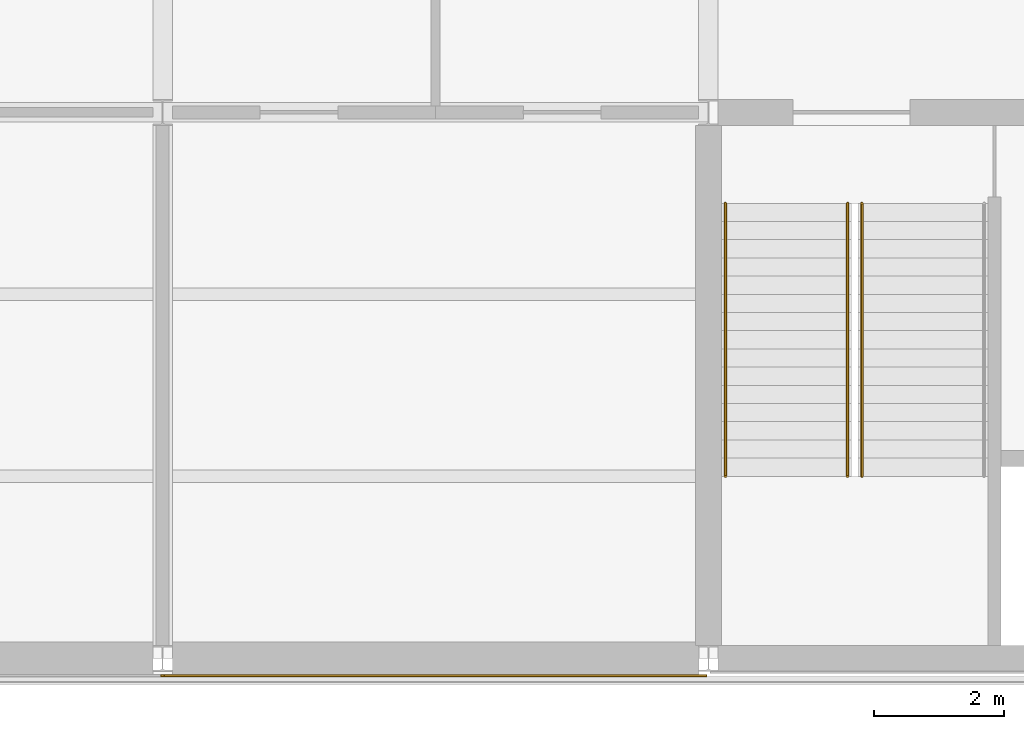
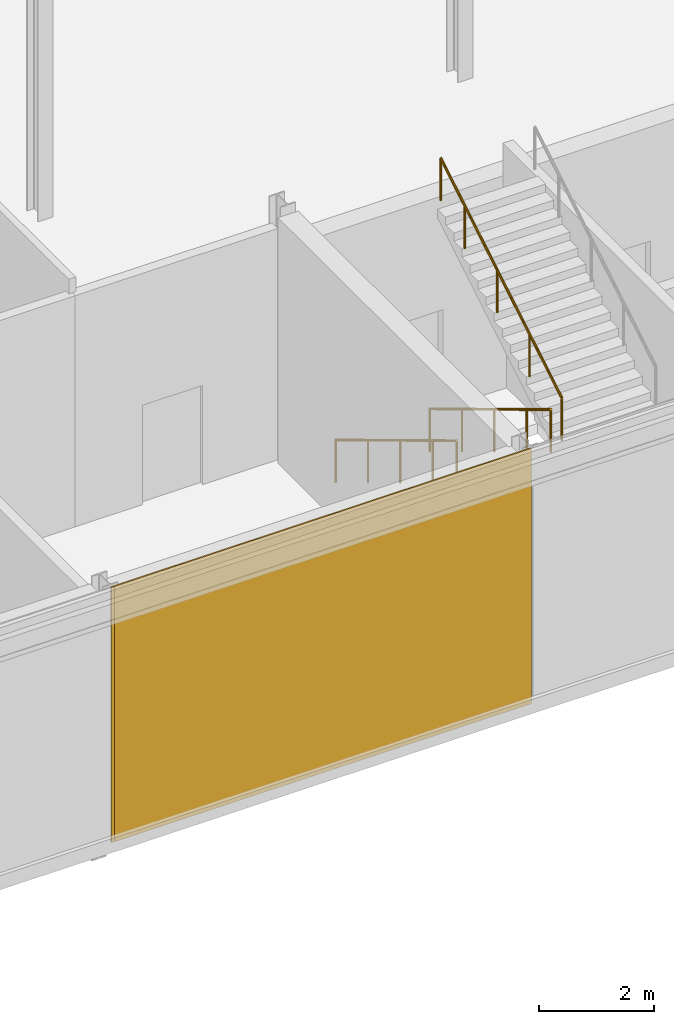
# One storey, part 46 of 57: 3 railings, 2 coverings.
"""IFC4 building model written with IfcOpenShell, lengths in metres."""

from ifc_helpers import new_model, si_unit, direction, frame, origin, origin_2d, place, context, subcontext, project, spatial, rectangle, circle, extrude, material, layer, layer_set, type_object, element, save


model = new_model("IFC4")

# Units and contexts
model_context = context("Model", 3, precision=1e-05, world=origin(), true_north=direction((0.0, 1.0)))
body_context = subcontext(model_context, "Body", "Model", "MODEL_VIEW")
ifc_project = project(units=[si_unit("LENGTHUNIT", "METRE"), si_unit("AREAUNIT", "SQUARE_METRE"), si_unit("VOLUMEUNIT", "CUBIC_METRE"), si_unit("PLANEANGLEUNIT", "RADIAN"), si_unit("MASSUNIT", "GRAM", prefix="KILO")], contexts=[model_context])

# Site, building, storey
site_placement = place(None, origin())
site = spatial("IfcSite", under=ifc_project, at=site_placement, CompositionType="ELEMENT")
building_placement = place(site_placement, origin())
building = spatial("IfcBuilding", under=site, at=building_placement, Name="Galleria Vessillo Department Store", CompositionType="ELEMENT")
storey_placement = place(building_placement, frame((0.0, 0.0, 25.800048828125)))
storey = spatial("IfcBuildingStorey", under=building, at=storey_placement, Name="L05", CompositionType="ELEMENT", Elevation=25.800048828125)

# Coverings
ifc_material_1 = material(Name="Lime plaster (intonaco) ochre")
ifc_layer = layer(ifc_material_1, 0.030029296875)
ifc_layer_set = layer_set([ifc_layer], Name="Lime plaster (intonaco) ochre")
covering_type = type_object("IfcCoveringType", Name="Lime plaster render 30 mm", PredefinedType="CLADDING", material=ifc_layer_set)
covering_1_placement = place(storey_placement, frame((71.39990234375, -0.264892578125, 0.0), z_axis=(0.0, 0.0, 1.0), x_axis=(1.0, 0.0, 0.0)))
element("IfcCovering", 1, at=covering_1_placement, inside=storey, type_object=covering_type, Name="Wall cladding S-PS-L05-06", PredefinedType="CLADDING", context=body_context, shape_type="SweptSolid", body=[
    extrude(rectangle(XDim=8.34033203125, YDim=0.030029296875, at=origin_2d()), origin(), (0.0, 0.0, 1.0), 5.39990234375),
])
covering_2_placement = place(storey_placement, frame((67.199951171875, -0.264892578125, 0.0), z_axis=(0.0, 0.0, 1.0), x_axis=(1.0, 0.0, 0.0)))
element("IfcCovering", 2, at=covering_2_placement, inside=storey, type_object=covering_type, Name="Joint block Wall cladding S-PS-L05-05", PredefinedType="CLADDING", context=body_context, shape_type="SweptSolid", body=[
    extrude(rectangle(XDim=0.059814453125, YDim=0.030029296875, at=origin_2d()), origin(), (0.0, 0.0, 1.0), 5.39990234375),
])

# Railings
ifc_material_2 = material(Name="Stainless steel tube", Category="steel")
railing_type = type_object("IfcRailingType", Name="Stair handrail steel tube 48 mm", PredefinedType="HANDRAIL", material=ifc_material_2)
for number, where, name in (
    (3, (77.739990234375, 7.0, 0.168701171875), "Handrail ST5 L05 flight 1A"),
    (4, (75.860107421875, 7.0, 0.168701171875), "Handrail ST5 L05 flight 1B"),
):
    element("IfcRailing", number, at=place(storey_placement, frame(where)), inside=storey, type_object=railing_type, Name=name, PredefinedType="HANDRAIL", context=body_context, shape_type="SweptSolid", body=[
        extrude(circle(Radius=0.02392578125, at=origin_2d()), frame((0.0, 0.0, 0.89599609375), z_axis=(0.0, -0.856486514401, 0.516169401116), x_axis=(1.0, 0.0, 0.0)), (0.0, 0.0, 1.0), 1.307861328125),
        extrude(circle(Radius=0.02392578125, at=origin_2d()), frame((0.0, -1.1201171875, 1.57080078125), z_axis=(0.0, -0.856436765236, 0.516251941548), x_axis=(1.0, 0.0, 0.0)), (0.0, 0.0, 1.0), 1.3076171875),
        extrude(circle(Radius=0.02392578125, at=origin_2d()), frame((0.0, -2.239990234375, 2.24609375), z_axis=(0.0, -0.856486514401, 0.516169401116), x_axis=(1.0, 0.0, 0.0)), (0.0, 0.0, 1.0), 1.307861328125),
        extrude(circle(Radius=0.02392578125, at=origin_2d()), frame((0.0, -3.360107421875, 2.9208984375), z_axis=(0.0, -0.856502732318, 0.516142489563), x_axis=(1.0, 0.0, 0.0)), (0.0, 0.0, 1.0), 0.98046875),
        extrude(circle(Radius=0.02099609375, at=origin_2d()), origin(), (0.0, 0.0, 1.0), 0.871826171875),
        extrude(circle(Radius=0.02099609375, at=origin_2d()), frame((0.0, -1.1201171875, 0.675048828125)), (0.0, 0.0, 1.0), 0.871826171875),
        extrude(circle(Radius=0.02099609375, at=origin_2d()), frame((0.0, -2.239990234375, 1.35009765625)), (0.0, 0.0, 1.0), 0.871826171875),
        extrude(circle(Radius=0.02099609375, at=origin_2d()), frame((0.0, -3.360107421875, 2.025146484375)), (0.0, 0.0, 1.0), 0.871826171875),
        extrude(circle(Radius=0.02099609375, at=origin_2d()), frame((0.0, -4.199951171875, 2.53125)), (0.0, 0.0, 1.0), 0.871826171875),
    ])
railing_placement = place(storey_placement, frame((77.9599609375, 2.800048828125, 2.86865234375)))
element("IfcRailing", 5, at=railing_placement, inside=storey, type_object=railing_type, Name="Handrail ST5 L05 flight 2A", PredefinedType="HANDRAIL", context=body_context, shape_type="SweptSolid", body=[
    extrude(circle(Radius=0.02392578125, at=origin_2d()), frame((0.0, 0.0, 0.89599609375), z_axis=(0.0, 0.856486514401, 0.516169401116), x_axis=(-1.0, 0.0, 0.0)), (0.0, 0.0, 1.0), 1.307861328125),
    extrude(circle(Radius=0.02392578125, at=origin_2d()), frame((0.0, 1.1201171875, 1.57080078125), z_axis=(0.0, 0.856436765236, 0.516251941548), x_axis=(-1.0, 0.0, 0.0)), (0.0, 0.0, 1.0), 1.3076171875),
    extrude(circle(Radius=0.02392578125, at=origin_2d()), frame((0.0, 2.239990234375, 2.24609375), z_axis=(0.0, 0.856486514401, 0.516169401116), x_axis=(-1.0, 0.0, 0.0)), (0.0, 0.0, 1.0), 1.307861328125),
    extrude(circle(Radius=0.02392578125, at=origin_2d()), frame((0.0, 3.360107421875, 2.9208984375), z_axis=(0.0, 0.856502732318, 0.516142489563), x_axis=(-1.0, 0.0, 0.0)), (0.0, 0.0, 1.0), 0.98046875),
    extrude(circle(Radius=0.02099609375, at=origin_2d()), origin(), (0.0, 0.0, 1.0), 0.871826171875),
    extrude(circle(Radius=0.02099609375, at=origin_2d()), frame((0.0, 1.1201171875, 0.675048828125)), (0.0, 0.0, 1.0), 0.871826171875),
    extrude(circle(Radius=0.02099609375, at=origin_2d()), frame((0.0, 2.239990234375, 1.35009765625)), (0.0, 0.0, 1.0), 0.871826171875),
    extrude(circle(Radius=0.02099609375, at=origin_2d()), frame((0.0, 3.360107421875, 2.025146484375)), (0.0, 0.0, 1.0), 0.871826171875),
    extrude(circle(Radius=0.02099609375, at=origin_2d()), frame((0.0, 4.199951171875, 2.53125)), (0.0, 0.0, 1.0), 0.871826171875),
])

save(model, "model.ifc")
